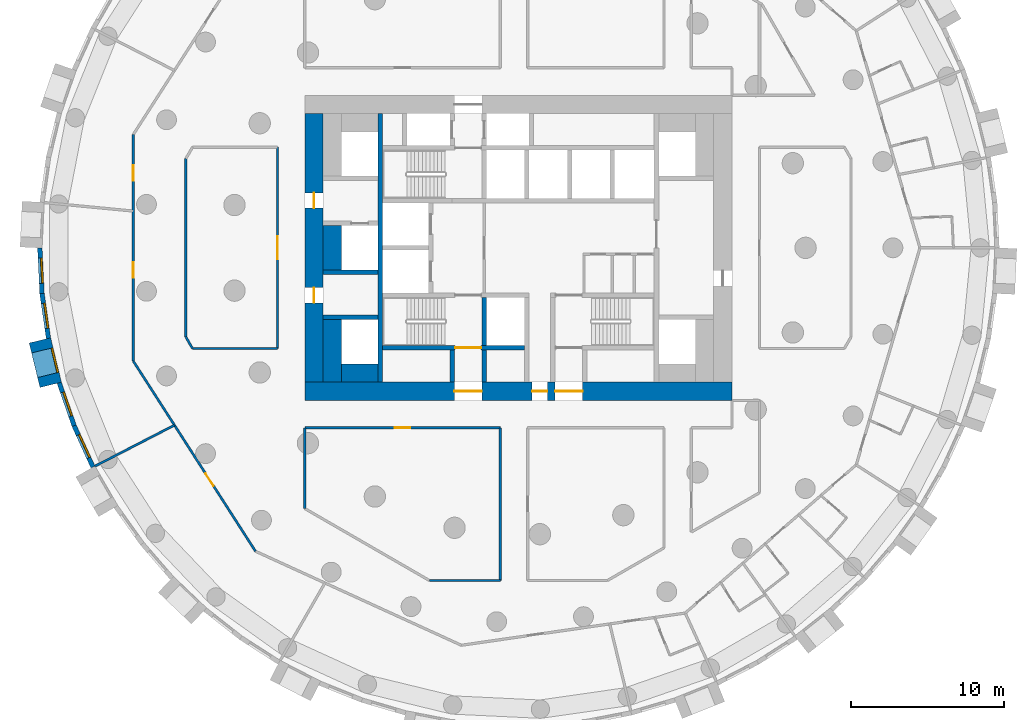
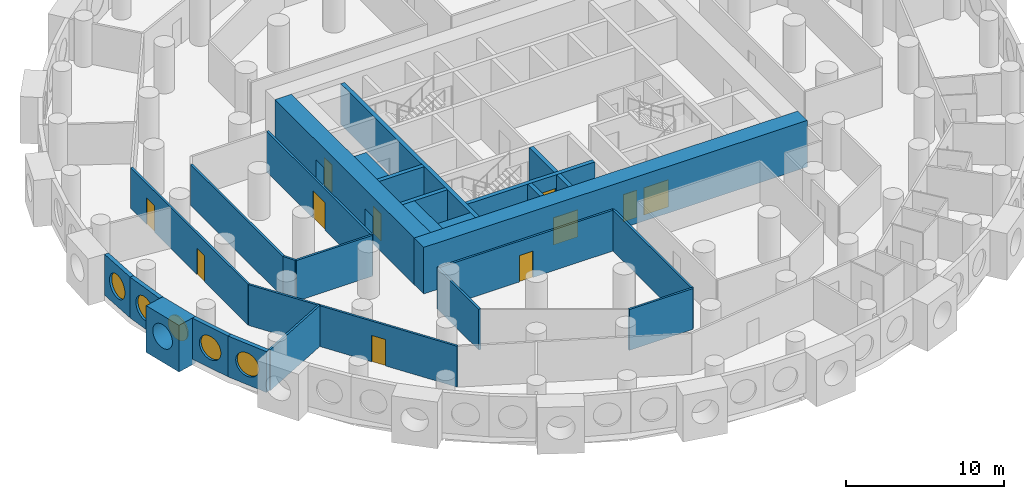
# One storey, part 3 of 12: 28 walls, 11 doors, 5 windows, 16 openings.
"""IFC4 building model written with IfcOpenShell, lengths in metres."""

from ifc_helpers import new_model, si_unit, direction, frame, frame_2d, origin, origin_2d, place, context, subcontext, project, spatial, rectangle, circle, extrude, material, layer, layer_set, type_object, element, fill, save


model = new_model("IFC4")

# Units and contexts
model_context = context("Model", 3, precision=1e-05, world=origin(), true_north=direction((0.0, 1.0)))
body_context = subcontext(model_context, "Body", "Model", "MODEL_VIEW")
ifc_project = project(units=[si_unit("LENGTHUNIT", "METRE"), si_unit("AREAUNIT", "SQUARE_METRE"), si_unit("VOLUMEUNIT", "CUBIC_METRE"), si_unit("PLANEANGLEUNIT", "RADIAN"), si_unit("MASSUNIT", "GRAM", prefix="KILO")], contexts=[model_context])

# Site, building, storey
site_placement = place(None, origin())
site = spatial("IfcSite", under=ifc_project, at=site_placement, CompositionType="ELEMENT")
building_placement = place(site_placement, origin())
building = spatial("IfcBuilding", under=site, at=building_placement, Name="Tracery Tower", CompositionType="ELEMENT")
storey_placement = place(building_placement, frame((0.0, 0.0, 71.39990234375)))
storey = spatial("IfcBuildingStorey", under=building, at=storey_placement, Name="L17", CompositionType="ELEMENT", Elevation=71.39990234375)

# Walls
ifc_material_1 = material(Name="Concrete C60/75", Category="concrete")
ifc_layer_1 = layer(ifc_material_1, 1.199951171875)
ifc_layer_set_1 = layer_set([ifc_layer_1], Name="Core strip wall 1200 C60")
wall_type_1 = type_object("IfcWallType", Name="Core strip wall 1200 C60", PredefinedType="SOLIDWALL", material=ifc_layer_set_1)
wall_1_placement = place(storey_placement, frame((-12.199951171875, -8.800048828125, 0.0), z_axis=(0.0, 0.0, 1.0), x_axis=(0.0, 1.0, 0.0)))
element("IfcWall", 1, at=wall_1_placement, inside=storey, type_object=wall_type_1, Name="L17 wing strip -1 -9.4", PredefinedType="SOLIDWALL", context=body_context, shape_type="SweptSolid", body=[
    extrude(rectangle(XDim=4.10009765625, YDim=1.199951171875, at=frame_2d((2.050048828125, 0.0))), origin(), (0.0, 0.0, 1.0), 3.150146484375),
])
wall_2_placement = place(storey_placement, frame((-12.199951171875, -1.449951171875, 0.0), z_axis=(0.0, 0.0, 1.0), x_axis=(0.0, 1.0, 0.0)))
element("IfcWall", 2, at=wall_2_placement, inside=storey, type_object=wall_type_1, Name="L17 wing strip -1 -1.6", PredefinedType="SOLIDWALL", context=body_context, shape_type="SweptSolid", body=[
    extrude(rectangle(XDim=2.89990234375, YDim=1.199951171875, at=frame_2d((1.449951171875, 0.0))), origin(), (0.0, 0.0, 1.0), 3.150146484375),
])
wall_3_placement = place(storey_placement, frame((-11.60009765625, -8.199951171875, 0.0), z_axis=(0.0, 0.0, 1.0), x_axis=(1.0, 0.0, 0.0)))
element("IfcWall", 3, at=wall_3_placement, inside=storey, type_object=wall_type_1, Name="L17 wing corner -1 -8.2", PredefinedType="SOLIDWALL", context=body_context, shape_type="SweptSolid", body=[
    extrude(rectangle(XDim=2.400146484375, YDim=1.199951171875, at=frame_2d((1.2001953125, 0.0))), origin(), (0.0, 0.0, 1.0), 3.150146484375),
])

# Wall, openings, doors
ifc_material_2 = material(Name="Concrete C60/75", Category="concrete")
ifc_layer_2 = layer(ifc_material_2, 1.199951171875)
ifc_layer_set_2 = layer_set([ifc_layer_2], Name="Core wall 1200 C60")
wall_type_2 = type_object("IfcWallType", Name="Core wall 1200 C60", PredefinedType="SOLIDWALL", material=ifc_layer_set_2)
wall_4_placement = place(storey_placement, frame((-14.0, -9.39990234375, 0.0), z_axis=(0.0, 0.0, 1.0), x_axis=(1.0, 0.0, 0.0)))
wall_4 = element("IfcWall", 4, at=wall_4_placement, inside=storey, type_object=wall_type_2, Name="L17 outer S", PredefinedType="SOLIDWALL", context=body_context, shape_type="SweptSolid", body=[
    extrude(rectangle(XDim=28.0, YDim=1.199951171875, at=frame_2d((14.0, 0.0))), origin(), (0.0, 0.0, 1.0), 3.60009765625),
])
opening_1_placement = place(wall_4_placement, frame((14.89990234375, 0.0, 0.0)))
opening_1 = element("IfcOpeningElement", 5, at=opening_1_placement, cuts=wall_4, Name="Opening KD16", PredefinedType="OPENING", context=body_context, shape_type="SweptSolid", body=[
    extrude(rectangle(XDim=1.0, YDim=2.10009765625, at=frame_2d((0.5, 1.050048828125))), frame((0.0, 0.60009765625, 0.0), z_axis=(0.0, -1.0, 0.0), x_axis=(1.0, 0.0, 0.0)), (0.0, 0.0, 1.0), 1.199951171875),
])
opening_2_placement = place(wall_4_placement, frame((9.800048828125, 0.0, 0.0)))
opening_2 = element("IfcOpeningElement", 6, at=opening_2_placement, cuts=wall_4, Name="Opening KD13", PredefinedType="OPENING", context=body_context, shape_type="SweptSolid", body=[
    extrude(rectangle(XDim=1.800048828125, YDim=2.10009765625, at=frame_2d((0.89990234375, 1.050048828125))), frame((0.0, 0.60009765625, 0.0), z_axis=(0.0, -1.0, 0.0), x_axis=(1.0, 0.0, 0.0)), (0.0, 0.0, 1.0), 1.199951171875),
])
opening_3_placement = place(wall_4_placement, frame((16.39990234375, 0.0, 0.0)))
opening_3 = element("IfcOpeningElement", 7, at=opening_3_placement, cuts=wall_4, Name="Opening KD13", PredefinedType="OPENING", context=body_context, shape_type="SweptSolid", body=[
    extrude(rectangle(XDim=1.800048828125, YDim=2.10009765625, at=frame_2d((0.89990234375, 1.050048828125))), frame((0.0, 0.60009765625, 0.0), z_axis=(0.0, -1.0, 0.0), x_axis=(1.0, 0.0, 0.0)), (0.0, 0.0, 1.0), 1.199951171875),
])
ifc_material_3 = material(Name="Steel fire door", Category="steel")
door_type_1 = type_object("IfcDoorType", Name="Core exit door 1000", OperationType="NOTDEFINED", PredefinedType="DOOR", material=ifc_material_3)
door_1_placement = place(opening_1_placement, origin())
door_1 = element("IfcDoor", 8, at=door_1_placement, inside=storey, type_object=door_type_1, Name="Core exit door", OperationType="SINGLE_SWING_LEFT", OverallHeight=2.10009765625, OverallWidth=1.0, PredefinedType="DOOR", context=body_context, shape_type="SweptSolid", body=[
    extrude(rectangle(XDim=1.0, YDim=2.10009765625, at=frame_2d((0.5, 1.050048828125))), frame((0.0, 0.02490234375, 0.0), z_axis=(0.0, -1.0, 0.0), x_axis=(1.0, 0.0, 0.0)), (0.0, 0.0, 1.0), 0.050048828125),
])
fill(opening_1, door_1)
ifc_material_4 = material(Name="Steel fire door", Category="steel")
door_type_2 = type_object("IfcDoorType", Name="Core exit door 1800 double", OperationType="NOTDEFINED", PredefinedType="DOOR", material=ifc_material_4)
door_2_placement = place(opening_2_placement, origin())
door_2 = element("IfcDoor", 9, at=door_2_placement, inside=storey, type_object=door_type_2, Name="Core exit door", OperationType="DOUBLE_DOOR_SINGLE_SWING", OverallHeight=2.10009765625, OverallWidth=1.800048828125, PredefinedType="DOOR", context=body_context, shape_type="SweptSolid", body=[
    extrude(rectangle(XDim=1.800048828125, YDim=2.10009765625, at=frame_2d((0.89990234375, 1.050048828125))), frame((0.0, 0.02490234375, 0.0), z_axis=(0.0, -1.0, 0.0), x_axis=(1.0, 0.0, 0.0)), (0.0, 0.0, 1.0), 0.050048828125),
])
fill(opening_2, door_2)
door_3_placement = place(opening_3_placement, origin())
door_3 = element("IfcDoor", 10, at=door_3_placement, inside=storey, type_object=door_type_2, Name="Core exit door", OperationType="DOUBLE_DOOR_SINGLE_SWING", OverallHeight=2.10009765625, OverallWidth=1.800048828125, PredefinedType="DOOR", context=body_context, shape_type="SweptSolid", body=[
    extrude(rectangle(XDim=1.800048828125, YDim=2.10009765625, at=frame_2d((0.89990234375, 1.050048828125))), frame((0.0, 0.02490234375, 0.0), z_axis=(0.0, -1.0, 0.0), x_axis=(1.0, 0.0, 0.0)), (0.0, 0.0, 1.0), 0.050048828125),
])
fill(opening_3, door_3)

wall_5_placement = place(storey_placement, frame((-13.39990234375, -8.800048828125, 0.0), z_axis=(0.0, 0.0, 1.0), x_axis=(0.0, 1.0, 0.0)))
wall_5 = element("IfcWall", 11, at=wall_5_placement, inside=storey, type_object=wall_type_2, Name="L17 outer W", PredefinedType="SOLIDWALL", context=body_context, shape_type="SweptSolid", body=[
    extrude(rectangle(XDim=17.60009765625, YDim=1.199951171875, at=frame_2d((8.800048828125, 0.0))), origin(), (0.0, 0.0, 1.0), 3.60009765625),
])
opening_4_placement = place(wall_5_placement, frame((5.199951171875, 0.0, 0.0)))
opening_4 = element("IfcOpeningElement", 12, at=opening_4_placement, cuts=wall_5, Name="Opening KD18", PredefinedType="OPENING", context=body_context, shape_type="SweptSolid", body=[
    extrude(rectangle(XDim=1.0, YDim=2.10009765625, at=frame_2d((0.5, 1.050048828125))), frame((0.0, 0.60009765625, 0.0), z_axis=(0.0, -1.0, 0.0), x_axis=(1.0, 0.0, 0.0)), (0.0, 0.0, 1.0), 1.199951171875),
])
opening_5_placement = place(wall_5_placement, frame((11.39990234375, 0.0, 0.0)))
opening_5 = element("IfcOpeningElement", 13, at=opening_5_placement, cuts=wall_5, Name="Opening KD18", PredefinedType="OPENING", context=body_context, shape_type="SweptSolid", body=[
    extrude(rectangle(XDim=1.0, YDim=2.10009765625, at=frame_2d((0.5, 1.050048828125))), frame((0.0, 0.60009765625, 0.0), z_axis=(0.0, -1.0, 0.0), x_axis=(1.0, 0.0, 0.0)), (0.0, 0.0, 1.0), 1.199951171875),
])
door_4_placement = place(opening_4_placement, origin())
door_4 = element("IfcDoor", 14, at=door_4_placement, inside=storey, type_object=door_type_1, Name="Core exit door", OperationType="DOUBLE_DOOR_SINGLE_SWING", OverallHeight=2.10009765625, OverallWidth=1.0, PredefinedType="DOOR", context=body_context, shape_type="SweptSolid", body=[
    extrude(rectangle(XDim=1.0, YDim=2.10009765625, at=frame_2d((0.5, 1.050048828125))), frame((0.0, 0.02490234375, 0.0), z_axis=(0.0, -1.0, 0.0), x_axis=(1.0, 0.0, 0.0)), (0.0, 0.0, 1.0), 0.050048828125),
])
fill(opening_4, door_4)
door_5_placement = place(opening_5_placement, origin())
door_5 = element("IfcDoor", 15, at=door_5_placement, inside=storey, type_object=door_type_1, Name="Core exit door", OperationType="DOUBLE_DOOR_SINGLE_SWING", OverallHeight=2.10009765625, OverallWidth=1.0, PredefinedType="DOOR", context=body_context, shape_type="SweptSolid", body=[
    extrude(rectangle(XDim=1.0, YDim=2.10009765625, at=frame_2d((0.5, 1.050048828125))), frame((0.0, 0.02490234375, 0.0), z_axis=(0.0, -1.0, 0.0), x_axis=(1.0, 0.0, 0.0)), (0.0, 0.0, 1.0), 0.050048828125),
])
fill(opening_5, door_5)

# Wall, opening, window
ifc_material_5 = material(Name="Precast concrete C50/60", Category="concrete")
ifc_layer_3 = layer(ifc_material_5, 1.449951171875)
ifc_layer_set_3 = layer_set([ifc_layer_3], Name="Deep-set bay unit 3000 x 3600, slab edge 450")
wall_type_3 = type_object("IfcWallType", Name="Deep-set bay unit 3000 x 3600, slab edge 450", PredefinedType="ELEMENTEDWALL", material=ifc_layer_set_3)
wall_6_placement = place(storey_placement, frame((-31.367919921875, -6.066162109375, -0.449951171875), z_axis=(0.0, 0.0, 1.0), x_axis=(0.235751415068, -0.971813392732, 0.0)))
wall_6 = element("IfcWall", 16, at=wall_6_placement, inside=storey, type_object=wall_type_3, Name="Deep-set bay unit 36 at L17", PredefinedType="ELEMENTEDWALL", context=body_context, shape_type="SweptSolid", body=[
    extrude(rectangle(XDim=3.0, YDim=1.449951171875, at=frame_2d((1.5, 0.0))), origin(), (0.0, 0.0, 1.0), 3.60009765625),
])
opening_6_placement = place(wall_6_placement, frame((1.5, 0.0, 2.0)))
opening_6 = element("IfcOpeningElement", 17, at=opening_6_placement, cuts=wall_6, Name="Opening WN1", PredefinedType="OPENING", context=body_context, shape_type="SweptSolid", body=[
    extrude(circle(Radius=0.9000244140625, at=origin_2d()), frame((0.0, 0.73486328125, 0.0), z_axis=(0.0, -1.0, 0.0), x_axis=(1.0, 0.0, 0.0)), (0.0, 0.0, 1.0), 1.469970703125),
])
ifc_material_6 = material(Name="Aluminium frame with tinted double glazing", Category="aluminium")
window_type = type_object("IfcWindowType", Name="Round window 1800", PartitioningType="SINGLE_PANEL", PredefinedType="WINDOW", material=ifc_material_6)
window_1_placement = place(opening_6_placement, origin())
window_1 = element("IfcWindow", 18, at=window_1_placement, inside=storey, type_object=window_type, Name="Round window 36 at L17", OverallHeight=1.800048828125, OverallWidth=1.800048828125, PartitioningType="SINGLE_PANEL", PredefinedType="WINDOW", context=body_context, shape_type="SweptSolid", body=[
    extrude(circle(Radius=0.9000244140625, at=origin_2d()), frame((0.0, 0.69482421875, 0.0), z_axis=(0.0, -1.0, 0.0), x_axis=(1.0, 0.0, 0.0)), (0.0, 0.0, 1.0), 0.10009765625),
])
fill(opening_6, window_1)

ifc_material_7 = material(Name="Precast concrete C50/60", Category="concrete")
ifc_layer_4 = layer(ifc_material_7, 0.300048828125)
ifc_layer_set_4 = layer_set([ifc_layer_4], Name="Facade panel 3000 x 3150")
wall_type_4 = type_object("IfcWallType", Name="Facade panel 3000 x 3150", PredefinedType="SOLIDWALL", material=ifc_layer_set_4)
wall_7_placement = place(storey_placement, frame((-31.3740234375, -0.006103515625, 0.0), z_axis=(0.0, 0.0, 1.0), x_axis=(0.047522328113, -0.998870175914, 0.0)))
wall_7 = element("IfcWall", 19, at=wall_7_placement, inside=storey, type_object=wall_type_4, Name="Facade panel 34 at L17", PredefinedType="SOLIDWALL", context=body_context, shape_type="SweptSolid", body=[
    extrude(rectangle(XDim=2.979736328125, YDim=0.300048828125, at=frame_2d((1.48974609375, 0.0))), origin(), (0.0, 0.0, 1.0), 3.150146484375),
])
opening_7_placement = place(wall_7_placement, frame((1.48974609375, 0.0, 1.5498046875)))
opening_7 = element("IfcOpeningElement", 20, at=opening_7_placement, cuts=wall_7, Name="Opening WN1", PredefinedType="OPENING", context=body_context, shape_type="SweptSolid", body=[
    extrude(circle(Radius=0.9000244140625, at=origin_2d()), frame((0.0, 0.159912109375, 0.0), z_axis=(0.0, -1.0, 0.0), x_axis=(1.0, 0.0, 0.0)), (0.0, 0.0, 1.0), 0.320068359375),
])
window_2_placement = place(opening_7_placement, origin())
window_2 = element("IfcWindow", 21, at=window_2_placement, inside=storey, type_object=window_type, Name="Round window 34 at L17", OverallHeight=1.800048828125, OverallWidth=1.800048828125, PartitioningType="SINGLE_PANEL", PredefinedType="WINDOW", context=body_context, shape_type="SweptSolid", body=[
    extrude(circle(Radius=0.9000244140625, at=origin_2d()), frame((0.0, 0.1201171875, 0.0), z_axis=(0.0, -1.0, 0.0), x_axis=(1.0, 0.0, 0.0)), (0.0, 0.0, 1.0), 0.10009765625),
])
fill(opening_7, window_2)

wall_8_placement = place(storey_placement, frame((-31.232421875, -2.982421875, 0.0), z_axis=(0.0, 0.0, 1.0), x_axis=(0.142327539111, -0.989819615693, 0.0)))
wall_8 = element("IfcWall", 22, at=wall_8_placement, inside=storey, type_object=wall_type_4, Name="Facade panel 35 at L17", PredefinedType="SOLIDWALL", context=body_context, shape_type="SweptSolid", body=[
    extrude(rectangle(XDim=2.9794921875, YDim=0.300048828125, at=frame_2d((1.48974609375, 0.0))), origin(), (0.0, 0.0, 1.0), 3.150146484375),
])
opening_8_placement = place(wall_8_placement, frame((1.48974609375, 0.0, 1.5498046875)))
opening_8 = element("IfcOpeningElement", 23, at=opening_8_placement, cuts=wall_8, Name="Opening WN1", PredefinedType="OPENING", context=body_context, shape_type="SweptSolid", body=[
    extrude(circle(Radius=0.9000244140625, at=origin_2d()), frame((0.0, 0.159912109375, 0.0), z_axis=(0.0, -1.0, 0.0), x_axis=(1.0, 0.0, 0.0)), (0.0, 0.0, 1.0), 0.320068359375),
])
window_3_placement = place(opening_8_placement, origin())
window_3 = element("IfcWindow", 24, at=window_3_placement, inside=storey, type_object=window_type, Name="Round window 35 at L17", OverallHeight=1.800048828125, OverallWidth=1.800048828125, PartitioningType="SINGLE_PANEL", PredefinedType="WINDOW", context=body_context, shape_type="SweptSolid", body=[
    extrude(circle(Radius=0.9000244140625, at=origin_2d()), frame((0.0, 0.1201171875, 0.0), z_axis=(0.0, -1.0, 0.0), x_axis=(1.0, 0.0, 0.0)), (0.0, 0.0, 1.0), 0.10009765625),
])
fill(opening_8, window_3)

wall_9_placement = place(storey_placement, frame((-30.1015625, -8.844970703125, 0.0), z_axis=(0.0, 0.0, 1.0), x_axis=(0.327096492592, -0.944990944154, 0.0)))
wall_9 = element("IfcWall", 25, at=wall_9_placement, inside=storey, type_object=wall_type_4, Name="Facade panel 37 at L17", PredefinedType="SOLIDWALL", context=body_context, shape_type="SweptSolid", body=[
    extrude(rectangle(XDim=2.9794921875, YDim=0.300048828125, at=frame_2d((1.48974609375, 0.0))), origin(), (0.0, 0.0, 1.0), 3.150146484375),
])
opening_9_placement = place(wall_9_placement, frame((1.48974609375, 0.0, 1.5498046875)))
opening_9 = element("IfcOpeningElement", 26, at=opening_9_placement, cuts=wall_9, Name="Opening WN1", PredefinedType="OPENING", context=body_context, shape_type="SweptSolid", body=[
    extrude(circle(Radius=0.9000244140625, at=origin_2d()), frame((0.0, 0.159912109375, 0.0), z_axis=(0.0, -1.0, 0.0), x_axis=(1.0, 0.0, 0.0)), (0.0, 0.0, 1.0), 0.320068359375),
])
window_4_placement = place(opening_9_placement, origin())
window_4 = element("IfcWindow", 27, at=window_4_placement, inside=storey, type_object=window_type, Name="Round window 37 at L17", OverallHeight=1.800048828125, OverallWidth=1.800048828125, PartitioningType="SINGLE_PANEL", PredefinedType="WINDOW", context=body_context, shape_type="SweptSolid", body=[
    extrude(circle(Radius=0.9000244140625, at=origin_2d()), frame((0.0, 0.1201171875, 0.0), z_axis=(0.0, -1.0, 0.0), x_axis=(1.0, 0.0, 0.0)), (0.0, 0.0, 1.0), 0.10009765625),
])
fill(opening_9, window_4)

wall_10_placement = place(storey_placement, frame((-29.126953125, -11.66064453125, 0.0), z_axis=(0.0, 0.0, 1.0), x_axis=(0.415407317162, -0.909635509888, 0.0)))
wall_10 = element("IfcWall", 28, at=wall_10_placement, inside=storey, type_object=wall_type_4, Name="Facade panel 38 at L17", PredefinedType="SOLIDWALL", context=body_context, shape_type="SweptSolid", body=[
    extrude(rectangle(XDim=2.979736328125, YDim=0.300048828125, at=frame_2d((1.48974609375, 0.0))), origin(), (0.0, 0.0, 1.0), 3.150146484375),
])
opening_10_placement = place(wall_10_placement, frame((1.48974609375, 0.0, 1.5498046875)))
opening_10 = element("IfcOpeningElement", 29, at=opening_10_placement, cuts=wall_10, Name="Opening WN1", PredefinedType="OPENING", context=body_context, shape_type="SweptSolid", body=[
    extrude(circle(Radius=0.9000244140625, at=origin_2d()), frame((0.0, 0.159912109375, 0.0), z_axis=(0.0, -1.0, 0.0), x_axis=(1.0, 0.0, 0.0)), (0.0, 0.0, 1.0), 0.320068359375),
])
window_5_placement = place(opening_10_placement, origin())
window_5 = element("IfcWindow", 30, at=window_5_placement, inside=storey, type_object=window_type, Name="Round window 38 at L17", OverallHeight=1.800048828125, OverallWidth=1.800048828125, PartitioningType="SINGLE_PANEL", PredefinedType="WINDOW", context=body_context, shape_type="SweptSolid", body=[
    extrude(circle(Radius=0.9000244140625, at=origin_2d()), frame((0.0, 0.1201171875, 0.0), z_axis=(0.0, -1.0, 0.0), x_axis=(1.0, 0.0, 0.0)), (0.0, 0.0, 1.0), 0.10009765625),
])
fill(opening_10, window_5)

# Wall
ifc_material_8 = material(Name="Plasterboard on steel studs", Category="steel")
ifc_layer_5 = layer(ifc_material_8, 0.14990234375)
ifc_layer_set_5 = layer_set([ifc_layer_5], Name="Partition 150 acoustic unit wall")
wall_type_5 = type_object("IfcWallType", Name="Partition 150 acoustic unit wall", PredefinedType="PARTITIONING", material=ifc_layer_set_5)
wall_11_placement = place(storey_placement, frame((-27.7529296875, -14.30810546875, 0.0), z_axis=(0.0, 0.0, 1.0), x_axis=(0.88877955153, 0.45833493079, 0.0)))
element("IfcWall", 31, at=wall_11_placement, inside=storey, type_object=wall_type_5, Name="Unit wall RA5-084", PredefinedType="PARTITIONING", context=body_context, shape_type="SweptSolid", body=[
    extrude(rectangle(XDim=5.856201171875, YDim=0.14990234375, at=frame_2d((2.92822265625, 0.0))), origin(), (0.0, 0.0, 1.0), 3.150146484375),
])

# Wall, opening, door
ifc_material_9 = material(Name="Plasterboard on steel studs", Category="steel")
ifc_layer_6 = layer(ifc_material_9, 0.14990234375)
ifc_layer_set_6 = layer_set([ifc_layer_6], Name="Partition 150 corridor wall")
wall_type_6 = type_object("IfcWallType", Name="Partition 150 corridor wall", PredefinedType="PARTITIONING", material=ifc_layer_set_6)
wall_12_placement = place(storey_placement, frame((-14.00390625, -11.800048828125, 0.0), z_axis=(0.0, 0.0, 1.0), x_axis=(1.0, 0.0, 0.0)))
wall_12 = element("IfcWall", 32, at=wall_12_placement, inside=storey, type_object=wall_type_6, Name="Corridor wall RA5-005", PredefinedType="PARTITIONING", context=body_context, shape_type="SweptSolid", body=[
    extrude(rectangle(XDim=12.81591796875, YDim=0.14990234375, at=frame_2d((6.407958984375, 0.0))), origin(), (0.0, 0.0, 1.0), 3.150146484375),
])
opening_11_placement = place(wall_12_placement, frame((5.907958984375, 0.0, 0.0)))
opening_11 = element("IfcOpeningElement", 33, at=opening_11_placement, cuts=wall_12, Name="Opening RA5-04", PredefinedType="OPENING", context=body_context, shape_type="SweptSolid", body=[
    extrude(rectangle(XDim=1.0, YDim=2.0400390625, at=frame_2d((0.5, 1.02001953125))), frame((0.0, 0.074951171875, 0.0), z_axis=(0.0, -1.0, 0.0), x_axis=(1.0, 0.0, 0.0)), (0.0, 0.0, 1.0), 0.14990234375),
])
ifc_material_10 = material(Name="Timber door leaf", Category="wood")
door_type_3 = type_object("IfcDoorType", Name="Door communal room 1000", OperationType="NOTDEFINED", PredefinedType="DOOR", material=ifc_material_10)
door_6_placement = place(opening_11_placement, origin())
door_6 = element("IfcDoor", 34, at=door_6_placement, inside=storey, type_object=door_type_3, Name="Communal room door RA5-04", OperationType="SINGLE_SWING_RIGHT", OverallHeight=2.0400390625, OverallWidth=1.0, PredefinedType="DOOR", context=body_context, shape_type="SweptSolid", body=[
    extrude(rectangle(XDim=1.0, YDim=2.0400390625, at=frame_2d((0.5, 1.02001953125))), frame((0.0, 0.02490234375, 0.0), z_axis=(0.0, -1.0, 0.0), x_axis=(1.0, 0.0, 0.0)), (0.0, 0.0, 1.0), 0.050048828125),
])
fill(opening_11, door_6)

wall_13_placement = place(storey_placement, frame((-15.800048828125, -6.60400390625, 0.0), z_axis=(0.0, 0.0, 1.0), x_axis=(0.0, 1.0, 0.0)))
wall_13 = element("IfcWall", 35, at=wall_13_placement, inside=storey, type_object=wall_type_6, Name="Corridor wall RA5-012", PredefinedType="PARTITIONING", context=body_context, shape_type="SweptSolid", body=[
    extrude(rectangle(XDim=13.2080078125, YDim=0.14990234375, at=frame_2d((6.60400390625, 0.0))), origin(), (0.0, 0.0, 1.0), 3.150146484375),
])
opening_12_placement = place(wall_13_placement, frame((5.85400390625, 0.0, 0.0)))
opening_12 = element("IfcOpeningElement", 36, at=opening_12_placement, cuts=wall_13, Name="Opening RA5-08", PredefinedType="OPENING", context=body_context, shape_type="SweptSolid", body=[
    extrude(rectangle(XDim=1.5, YDim=2.10009765625, at=frame_2d((0.75, 1.050048828125))), frame((0.0, 0.074951171875, 0.0), z_axis=(0.0, -1.0, 0.0), x_axis=(1.0, 0.0, 0.0)), (0.0, 0.0, 1.0), 0.14990234375),
])
ifc_material_11 = material(Name="Timber door leaf", Category="wood")
door_type_4 = type_object("IfcDoorType", Name="Door double kitchen 1500", OperationType="NOTDEFINED", PredefinedType="DOOR", material=ifc_material_11)
door_7_placement = place(opening_12_placement, origin())
door_7 = element("IfcDoor", 37, at=door_7_placement, inside=storey, type_object=door_type_4, Name="Double kitchen door RA5-08", OperationType="DOUBLE_DOOR_SINGLE_SWING", OverallHeight=2.10009765625, OverallWidth=1.5, PredefinedType="DOOR", context=body_context, shape_type="SweptSolid", body=[
    extrude(rectangle(XDim=1.5, YDim=2.10009765625, at=frame_2d((0.75, 1.050048828125))), frame((0.0, 0.02490234375, 0.0), z_axis=(0.0, -1.0, 0.0), x_axis=(1.0, 0.0, 0.0)), (0.0, 0.0, 1.0), 0.050048828125),
])
fill(opening_12, door_7)

# Walls
wall_14_placement = place(storey_placement, frame((-14.0, -17.092041015625, 0.0), z_axis=(0.0, 0.0, 1.0), x_axis=(0.0, 1.0, 0.0)))
element("IfcWall", 38, at=wall_14_placement, inside=storey, type_object=wall_type_6, Name="Corridor wall RA5-037", PredefinedType="PARTITIONING", context=body_context, shape_type="SweptSolid", body=[
    extrude(rectangle(XDim=5.2919921875, YDim=0.14990234375, at=frame_2d((2.64599609375, 0.0))), origin(), (0.0, 0.0, 1.0), 3.150146484375),
])
wall_15_placement = place(storey_placement, frame((-21.802001953125, -5.842041015625, 0.0), z_axis=(0.0, 0.0, 1.0), x_axis=(0.0, 1.0, 0.0)))
element("IfcWall", 39, at=wall_15_placement, inside=storey, type_object=wall_type_6, Name="Corridor wall RA5-040", PredefinedType="PARTITIONING", context=body_context, shape_type="SweptSolid", body=[
    extrude(rectangle(XDim=11.68408203125, YDim=0.14990234375, at=frame_2d((5.842041015625, 0.0))), origin(), (0.0, 0.0, 1.0), 3.150146484375),
])
wall_16_placement = place(storey_placement, frame((-21.802001953125, -5.842041015625, 0.0), z_axis=(0.0, 0.0, 1.0), x_axis=(0.500277597875, -0.865865073245, 0.0)))
element("IfcWall", 40, at=wall_16_placement, inside=storey, type_object=wall_type_6, Name="Corridor wall RA5-041", PredefinedType="PARTITIONING", context=body_context, shape_type="SweptSolid", body=[
    extrude(rectangle(XDim=0.87548828125, YDim=0.14990234375, at=frame_2d((0.437744140625, 0.0))), origin(), (0.0, 0.0, 1.0), 3.150146484375),
])
wall_17_placement = place(storey_placement, frame((-21.364013671875, -6.60009765625, 0.0), z_axis=(0.0, 0.0, 1.0), x_axis=(1.0, 0.0, 0.0)))
element("IfcWall", 41, at=wall_17_placement, inside=storey, type_object=wall_type_6, Name="Corridor wall RA5-042", PredefinedType="PARTITIONING", context=body_context, shape_type="SweptSolid", body=[
    extrude(rectangle(XDim=5.56396484375, YDim=0.14990234375, at=frame_2d((2.781982421875, 0.0))), origin(), (0.0, 0.0, 1.0), 3.150146484375),
])

# Wall, openings, doors
wall_18_placement = place(storey_placement, frame((-25.2529296875, -7.4150390625, 0.0), z_axis=(0.0, 0.0, 1.0), x_axis=(0.0, 1.0, 0.0)))
wall_18 = element("IfcWall", 42, at=wall_18_placement, inside=storey, type_object=wall_type_6, Name="Corridor wall RA5-043", PredefinedType="PARTITIONING", context=body_context, shape_type="SweptSolid", body=[
    extrude(rectangle(XDim=14.830078125, YDim=0.14990234375, at=frame_2d((7.4150390625, 0.0))), origin(), (0.0, 0.0, 1.0), 3.150146484375),
])
opening_13_placement = place(wall_18_placement, frame((11.825927734375, 0.0, 0.0)))
opening_13 = element("IfcOpeningElement", 43, at=opening_13_placement, cuts=wall_18, Name="Opening RA5-27", PredefinedType="OPENING", context=body_context, shape_type="SweptSolid", body=[
    extrude(rectangle(XDim=1.0, YDim=2.0400390625, at=frame_2d((0.5, 1.02001953125))), frame((0.0, 0.074951171875, 0.0), z_axis=(0.0, -1.0, 0.0), x_axis=(1.0, 0.0, 0.0)), (0.0, 0.0, 1.0), 0.14990234375),
])
opening_14_placement = place(wall_18_placement, frame((5.465087890625, 0.0, 0.0)))
opening_14 = element("IfcOpeningElement", 44, at=opening_14_placement, cuts=wall_18, Name="Opening RA5-28", PredefinedType="OPENING", context=body_context, shape_type="SweptSolid", body=[
    extrude(rectangle(XDim=1.0, YDim=2.0400390625, at=frame_2d((0.5, 1.02001953125))), frame((0.0, 0.074951171875, 0.0), z_axis=(0.0, -1.0, 0.0), x_axis=(1.0, 0.0, 0.0)), (0.0, 0.0, 1.0), 0.14990234375),
])
door_8_placement = place(opening_13_placement, origin())
door_8 = element("IfcDoor", 45, at=door_8_placement, inside=storey, type_object=door_type_3, Name="Communal room door RA5-27", OperationType="SINGLE_SWING_RIGHT", OverallHeight=2.0400390625, OverallWidth=1.0, PredefinedType="DOOR", context=body_context, shape_type="SweptSolid", body=[
    extrude(rectangle(XDim=1.0, YDim=2.0400390625, at=frame_2d((0.5, 1.02001953125))), frame((0.0, 0.02490234375, 0.0), z_axis=(0.0, -1.0, 0.0), x_axis=(1.0, 0.0, 0.0)), (0.0, 0.0, 1.0), 0.050048828125),
])
fill(opening_13, door_8)
door_9_placement = place(opening_14_placement, origin())
door_9 = element("IfcDoor", 46, at=door_9_placement, inside=storey, type_object=door_type_3, Name="Communal room door RA5-28", OperationType="SINGLE_SWING_RIGHT", OverallHeight=2.0400390625, OverallWidth=1.0, PredefinedType="DOOR", context=body_context, shape_type="SweptSolid", body=[
    extrude(rectangle(XDim=1.0, YDim=2.0400390625, at=frame_2d((0.5, 1.02001953125))), frame((0.0, 0.02490234375, 0.0), z_axis=(0.0, -1.0, 0.0), x_axis=(1.0, 0.0, 0.0)), (0.0, 0.0, 1.0), 0.050048828125),
])
fill(opening_14, door_9)

# Wall, opening, door
wall_19_placement = place(storey_placement, frame((-25.2529296875, -7.4150390625, 0.0), z_axis=(0.0, 0.0, 1.0), x_axis=(0.540656073354, -0.841243728265, 0.0)))
wall_19 = element("IfcWall", 47, at=wall_19_placement, inside=storey, type_object=wall_type_6, Name="Corridor wall RA5-044", PredefinedType="PARTITIONING", context=body_context, shape_type="SweptSolid", body=[
    extrude(rectangle(XDim=14.829345703125, YDim=0.14990234375, at=frame_2d((7.41455078125, 0.0))), origin(), (0.0, 0.0, 1.0), 3.150146484375),
])
opening_15_placement = place(wall_19_placement, frame((8.75341796875, 0.0, 0.0)))
opening_15 = element("IfcOpeningElement", 48, at=opening_15_placement, cuts=wall_19, Name="Opening RA5-29", PredefinedType="OPENING", context=body_context, shape_type="SweptSolid", body=[
    extrude(rectangle(XDim=1.0, YDim=2.0400390625, at=frame_2d((0.5, 1.02001953125))), frame((0.0, 0.074951171875, 0.0), z_axis=(0.0, -1.0, 0.0), x_axis=(1.0, 0.0, 0.0)), (0.0, 0.0, 1.0), 0.14990234375),
])
door_10_placement = place(opening_15_placement, origin())
door_10 = element("IfcDoor", 49, at=door_10_placement, inside=storey, type_object=door_type_3, Name="Communal room door RA5-29", OperationType="SINGLE_SWING_LEFT", OverallHeight=2.0400390625, OverallWidth=1.0, PredefinedType="DOOR", context=body_context, shape_type="SweptSolid", body=[
    extrude(rectangle(XDim=1.0, YDim=2.0400390625, at=frame_2d((0.5, 1.02001953125))), frame((0.0, 0.02490234375, 0.0), z_axis=(0.0, -1.0, 0.0), x_axis=(1.0, 0.0, 0.0)), (0.0, 0.0, 1.0), 0.050048828125),
])
fill(opening_15, door_10)

# Walls
wall_20_placement = place(storey_placement, frame((-5.842041015625, -21.802001953125, 0.0), z_axis=(0.0, 0.0, 1.0), x_axis=(1.0, 0.0, 0.0)))
element("IfcWall", 50, at=wall_20_placement, inside=storey, type_object=wall_type_6, Name="Corridor wall RA5-046", PredefinedType="PARTITIONING", context=body_context, shape_type="SweptSolid", body=[
    extrude(rectangle(XDim=4.650146484375, YDim=0.14990234375, at=frame_2d((2.3251953125, 0.0))), origin(), (0.0, 0.0, 1.0), 3.150146484375),
])
wall_21_placement = place(storey_placement, frame((-1.19189453125, -21.802001953125, 0.0), z_axis=(0.0, 0.0, 1.0), x_axis=(0.0, 1.0, 0.0)))
element("IfcWall", 51, at=wall_21_placement, inside=storey, type_object=wall_type_6, Name="Corridor wall RA5-047", PredefinedType="PARTITIONING", context=body_context, shape_type="SweptSolid", body=[
    extrude(rectangle(XDim=10.001953125, YDim=0.14990234375, at=frame_2d((5.0009765625, 0.0))), origin(), (0.0, 0.0, 1.0), 3.150146484375),
])
ifc_material_12 = material(Name="Concrete C60/75", Category="concrete")
ifc_layer_7 = layer(ifc_material_12, 0.300048828125)
ifc_layer_set_7 = layer_set([ifc_layer_7], Name="Shaft wall 300 C60")
wall_type_7 = type_object("IfcWallType", Name="Shaft wall 300 C60", PredefinedType="SOLIDWALL", material=ifc_layer_set_7)
wall_22_placement = place(storey_placement, frame((-4.35009765625, -8.800048828125, 0.0), z_axis=(0.0, 0.0, 1.0), x_axis=(0.0, 1.0, 0.0)))
element("IfcWall", 52, at=wall_22_placement, inside=storey, type_object=wall_type_7, Name="L17 band S -4.35", PredefinedType="SOLIDWALL", context=body_context, shape_type="SweptSolid", body=[
    extrude(rectangle(XDim=2.10009765625, YDim=0.300048828125, at=frame_2d((1.050048828125, 0.0))), origin(), (0.0, 0.0, 1.0), 3.150146484375),
])
for number, where, z_axis, x_axis, name in (
    (53, (-12.800048828125, -4.550048828125, 0.0), (0.0, 0.0, 1.0), (1.0, 0.0, 0.0), "L17 wing shaft wall -1 -4.55"),
    (54, (-12.800048828125, -1.60009765625, 0.0), (0.0, 0.0, 1.0), (1.0, 0.0, 0.0), "L17 wing shaft wall -1 -1.60"),
):
    element("IfcWall", number, at=place(storey_placement, frame(where, z_axis=z_axis, x_axis=x_axis)), inside=storey, type_object=wall_type_7, Name=name, PredefinedType="SOLIDWALL", context=body_context, shape_type="SweptSolid", body=[
        extrude(rectangle(XDim=3.60009765625, YDim=0.300048828125, at=frame_2d((1.800048828125, 0.0))), origin(), (0.0, 0.0, 1.0), 3.150146484375),
    ])
ifc_material_13 = material(Name="Concrete C60/75", Category="concrete")
ifc_layer_8 = layer(ifc_material_13, 0.300048828125)
ifc_layer_set_8 = layer_set([ifc_layer_8], Name="Stair wall 300 C60")
wall_type_8 = type_object("IfcWallType", Name="Stair wall 300 C60", PredefinedType="SOLIDWALL", material=ifc_layer_set_8)
wall_23_placement = place(storey_placement, frame((-2.25, -6.39990234375, 0.0), z_axis=(0.0, 0.0, 1.0), x_axis=(0.0, 1.0, 0.0)))
element("IfcWall", 55, at=wall_23_placement, inside=storey, type_object=wall_type_8, Name="L17 ST1 E", PredefinedType="SOLIDWALL", context=body_context, shape_type="SweptSolid", body=[
    extrude(rectangle(XDim=3.14990234375, YDim=0.300048828125, at=frame_2d((1.574951171875, 0.0))), origin(), (0.0, 0.0, 1.0), 3.150146484375),
])
wall_24_placement = place(storey_placement, frame((-9.050048828125, -8.800048828125, 0.0), z_axis=(0.0, 0.0, 1.0), x_axis=(0.0, 1.0, 0.0)))
element("IfcWall", 56, at=wall_24_placement, inside=storey, type_object=wall_type_8, Name="L17 F wall -9", PredefinedType="SOLIDWALL", context=body_context, shape_type="SweptSolid", body=[
    extrude(rectangle(XDim=17.60009765625, YDim=0.300048828125, at=frame_2d((8.800048828125, 0.0))), origin(), (0.0, 0.0, 1.0), 3.150146484375),
])

# Wall, opening, door
wall_25_placement = place(storey_placement, frame((-8.89990234375, -6.550048828125, 0.0), z_axis=(0.0, 0.0, 1.0), x_axis=(1.0, 0.0, 0.0)))
wall_25 = element("IfcWall", 57, at=wall_25_placement, inside=storey, type_object=wall_type_8, Name="L17 F S W", PredefinedType="SOLIDWALL", context=body_context, shape_type="SweptSolid", body=[
    extrude(rectangle(XDim=9.2998046875, YDim=0.300048828125, at=frame_2d((4.64990234375, 0.0))), origin(), (0.0, 0.0, 1.0), 3.150146484375),
])
opening_16_placement = place(wall_25_placement, frame((4.75, 0.0, 0.0)))
opening_16 = element("IfcOpeningElement", 58, at=opening_16_placement, cuts=wall_25, Name="Opening KD3", PredefinedType="OPENING", context=body_context, shape_type="SweptSolid", body=[
    extrude(rectangle(XDim=1.699951171875, YDim=2.10009765625, at=frame_2d((0.85009765625, 1.050048828125))), frame((0.0, 0.14990234375, 0.0), z_axis=(0.0, -1.0, 0.0), x_axis=(1.0, 0.0, 0.0)), (0.0, 0.0, 1.0), 0.300048828125),
])
ifc_material_14 = material(Name="Steel fire door", Category="steel")
door_type_5 = type_object("IfcDoorType", Name="Core stair door 1700 double", OperationType="NOTDEFINED", PredefinedType="DOOR", material=ifc_material_14)
door_11_placement = place(opening_16_placement, origin())
door_11 = element("IfcDoor", 59, at=door_11_placement, inside=storey, type_object=door_type_5, Name="Stair door ST1 S", OperationType="DOUBLE_DOOR_SINGLE_SWING", OverallHeight=2.10009765625, OverallWidth=1.699951171875, PredefinedType="DOOR", context=body_context, shape_type="SweptSolid", body=[
    extrude(rectangle(XDim=1.699951171875, YDim=2.10009765625, at=frame_2d((0.85009765625, 1.050048828125))), frame((0.0, 0.02490234375, 0.0), z_axis=(0.0, -1.0, 0.0), x_axis=(1.0, 0.0, 0.0)), (0.0, 0.0, 1.0), 0.050048828125),
])
fill(opening_16, door_11)

# Wall
wall_26_placement = place(storey_placement, frame((-2.25, -8.800048828125, 0.0), z_axis=(0.0, 0.0, 1.0), x_axis=(0.0, 1.0, 0.0)))
element("IfcWall", 60, at=wall_26_placement, inside=storey, type_object=wall_type_8, Name="L17 ST1 E out", PredefinedType="SOLIDWALL", context=body_context, shape_type="SweptSolid", body=[
    extrude(rectangle(XDim=2.10009765625, YDim=0.300048828125, at=frame_2d((1.050048828125, 0.0))), origin(), (0.0, 0.0, 1.0), 3.150146484375),
])

save(model, "model.ifc")
